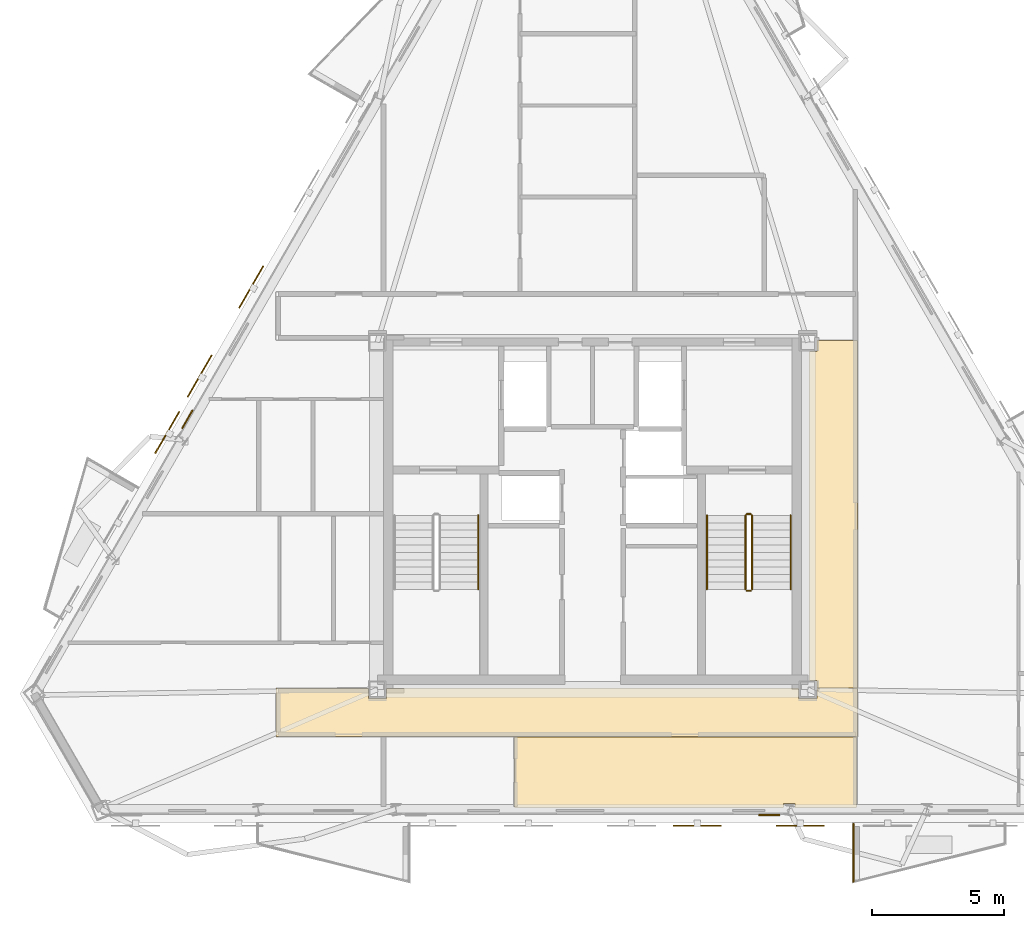
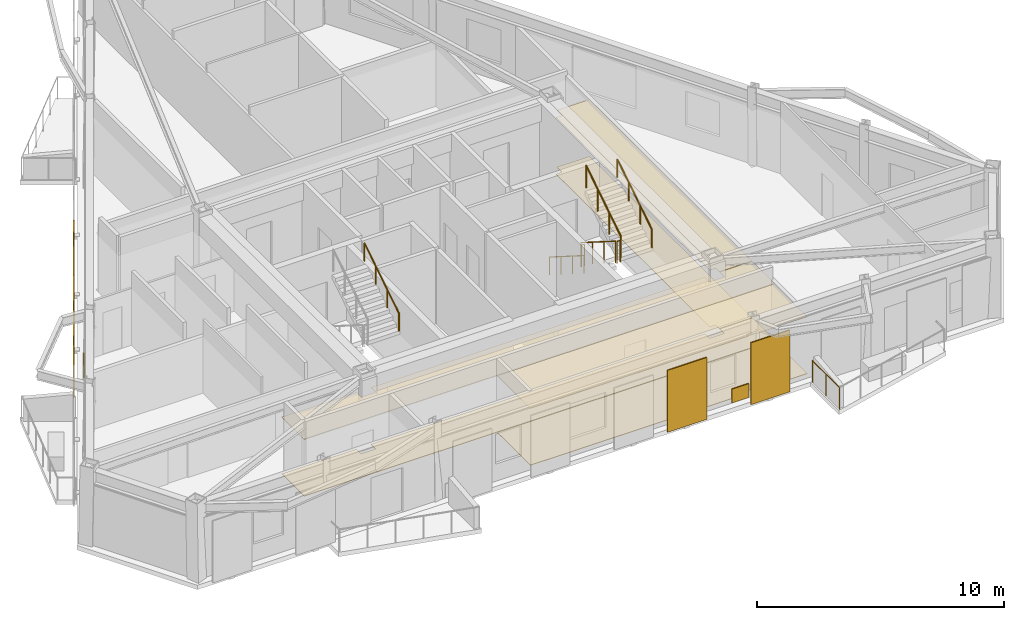
# One storey, part 8 of 9: 8 coverings, 8 railings, 5 shading devices.
"""IFC4 building model written with IfcOpenShell, lengths in metres."""

from ifc_helpers import new_model, si_unit, direction, frame, origin, origin_2d, place, context, subcontext, project, spatial, polyline, rectangle, circle, outline, extrude, material, layer, layer_set, type_object, element, save


model = new_model("IFC4")

# Units and contexts
model_context = context("Model", 3, precision=1e-05, world=origin(), true_north=direction((0.0, 1.0)))
body_context = subcontext(model_context, "Body", "Model", "MODEL_VIEW")
ifc_project = project(units=[si_unit("LENGTHUNIT", "METRE"), si_unit("AREAUNIT", "SQUARE_METRE"), si_unit("VOLUMEUNIT", "CUBIC_METRE"), si_unit("PLANEANGLEUNIT", "RADIAN"), si_unit("MASSUNIT", "GRAM", prefix="KILO")], contexts=[model_context])

# Site, building, storey
site_placement = place(None, origin())
site = spatial("IfcSite", under=ifc_project, at=site_placement, CompositionType="ELEMENT")
building_placement = place(site_placement, origin())
building = spatial("IfcBuilding", under=site, at=building_placement, Name="Oramaril Tower", CompositionType="ELEMENT")
storey_placement = place(building_placement, frame((0.0, 0.0, 261.60009765625)))
storey = spatial("IfcBuildingStorey", under=building, at=storey_placement, Name="L69", CompositionType="ELEMENT", Elevation=261.60009765625)

# Coverings
ifc_material_1 = material(Name="Mineral Fibre Acoustic Ceiling")
ifc_layer_1 = layer(ifc_material_1, 0.02001953125)
ifc_layer_set_1 = layer_set([ifc_layer_1], Name="CVT-CEIL")
covering_type_1 = type_object("IfcCoveringType", Name="CVT-CEIL", PredefinedType="CEILING", material=ifc_layer_set_1)
covering_1_placement = place(storey_placement, frame((0.0, 0.0, 2.81201171875)))
element("IfcCovering", 1, at=covering_1_placement, inside=storey, type_object=covering_type_1, Name="L69 Acoustic Suspended Ceiling 1", PredefinedType="CEILING", context=body_context, shape_type="SweptSolid", body=[
    extrude(outline(polyline([(29.0048828125, 10.655029296875), (29.695068359375, 10.655029296875), (29.695068359375, 11.030029296875), (45.304931640625, 11.030029296875), (45.304931640625, 10.655029296875), (45.9951171875, 10.655029296875), (45.9951171875, 11.030029296875), (47.530029296875, 11.030029296875), (47.530029296875, 9.219970703125), (25.52001953125, 9.219970703125), (25.52001953125, 11.030029296875), (29.0048828125, 11.030029296875), (29.0048828125, 10.655029296875)])), origin(), (0.0, 0.0, 1.0), 0.019775390625),
])
covering_2_placement = place(storey_placement, frame((0.0, 0.0, 2.81201171875)))
element("IfcCovering", 2, at=covering_2_placement, inside=storey, type_object=covering_type_1, Name="L69 Acoustic Suspended Ceiling 3", PredefinedType="CEILING", context=body_context, shape_type="SweptSolid", body=[
    extrude(outline(polyline([(47.530029296875, 11.050048828125), (45.9951171875, 11.050048828125), (45.9951171875, 11.344970703125), (45.719970703125, 11.344970703125), (45.719970703125, 23.804931640625), (45.9951171875, 23.804931640625), (45.9951171875, 24.219970703125), (47.530029296875, 24.219970703125), (47.530029296875, 11.050048828125)])), origin(), (0.0, 0.0, 1.0), 0.019775390625),
])
covering_3_placement = place(storey_placement, frame((0.0, 0.0, 2.81201171875)))
element("IfcCovering", 3, at=covering_3_placement, inside=storey, type_object=covering_type_1, Name="L69 Acoustic Suspended Ceiling 5", PredefinedType="CEILING", context=body_context, shape_type="SweptSolid", body=[
    extrude(outline(polyline([(45.156005859375, 6.681396484375), (44.7333984375, 6.681396484375), (44.7333984375, 6.5224609375), (34.54150390625, 6.5224609375), (34.54150390625, 9.199951171875), (47.491943359375, 9.199951171875), (47.491943359375, 6.5224609375), (45.156005859375, 6.5224609375), (45.156005859375, 6.681396484375)])), origin(), (0.0, 0.0, 1.0), 0.019775390625),
])
ifc_material_2 = material(Name="Warm Cream Limestone", Category="masonry")
ifc_layer_2 = layer(ifc_material_2, 0.050048828125)
ifc_layer_set_2 = layer_set([ifc_layer_2], Name="CVT-CLD")
covering_type_2 = type_object("IfcCoveringType", Name="CVT-CLD", PredefinedType="CLADDING", material=ifc_layer_set_2)
for number, where, z_axis, x_axis, name in (
    (4, (44.196044921875, 6.246337890625, 0.0400390625), (0.0, 0.0, 1.0), (1.0, 0.0, 0.0), "L69 Warm Cream Limestone Spandrel Cladding"),
    (5, (22.154541015625, 21.227783203125, 0.0400390625), (0.0, 0.0, 1.0), (-0.5, -0.866025403784, 0.0), "L69 Warm Cream Limestone Spandrel Cladding"),
):
    element("IfcCovering", number, at=place(storey_placement, frame(where, z_axis=z_axis, x_axis=x_axis)), inside=storey, type_object=covering_type_2, Name=name, PredefinedType="CLADDING", context=body_context, shape_type="SweptSolid", body=[
        extrude(rectangle(XDim=0.800048828125, YDim=0.050048828125, at=origin_2d()), origin(), (0.0, 0.0, 1.0), 0.679931640625),
    ])
ifc_material_3 = material(Name="Honed Quartzite Stone Flooring", Category="masonry")
ifc_layer_3 = layer(ifc_material_3, 0.02490234375)
ifc_layer_set_3 = layer_set([ifc_layer_3], Name="CVT-FLR")
covering_type_3 = type_object("IfcCoveringType", Name="CVT-FLR", PredefinedType="FLOORING", material=ifc_layer_set_3)
covering_4_placement = place(storey_placement, origin())
element("IfcCovering", 6, at=covering_4_placement, inside=storey, type_object=covering_type_3, Name="L69 Honed Stone Floor Finish 1", PredefinedType="FLOORING", context=body_context, shape_type="SweptSolid", body=[
    extrude(outline(polyline([(29.0048828125, 10.655029296875), (29.695068359375, 10.655029296875), (29.695068359375, 11.030029296875), (45.304931640625, 11.030029296875), (45.304931640625, 10.655029296875), (45.9951171875, 10.655029296875), (45.9951171875, 11.030029296875), (47.530029296875, 11.030029296875), (47.530029296875, 9.219970703125), (25.52001953125, 9.219970703125), (25.52001953125, 11.030029296875), (29.0048828125, 11.030029296875), (29.0048828125, 10.655029296875)])), origin(), (0.0, 0.0, 1.0), 0.02490234375),
])
covering_5_placement = place(storey_placement, origin())
element("IfcCovering", 7, at=covering_5_placement, inside=storey, type_object=covering_type_3, Name="L69 Honed Stone Floor Finish 3", PredefinedType="FLOORING", context=body_context, shape_type="SweptSolid", body=[
    extrude(outline(polyline([(47.530029296875, 11.050048828125), (45.9951171875, 11.050048828125), (45.9951171875, 11.344970703125), (45.719970703125, 11.344970703125), (45.719970703125, 23.804931640625), (45.9951171875, 23.804931640625), (45.9951171875, 24.219970703125), (47.530029296875, 24.219970703125), (47.530029296875, 11.050048828125)])), origin(), (0.0, 0.0, 1.0), 0.02490234375),
])
covering_6_placement = place(storey_placement, origin())
element("IfcCovering", 8, at=covering_6_placement, inside=storey, type_object=covering_type_3, Name="L69 Honed Stone Floor Finish 5", PredefinedType="FLOORING", context=body_context, shape_type="SweptSolid", body=[
    extrude(outline(polyline([(45.156005859375, 6.681396484375), (44.7333984375, 6.681396484375), (44.7333984375, 6.5224609375), (34.54150390625, 6.5224609375), (34.54150390625, 9.199951171875), (47.491943359375, 9.199951171875), (47.491943359375, 6.5224609375), (45.156005859375, 6.5224609375), (45.156005859375, 6.681396484375)])), origin(), (0.0, 0.0, 1.0), 0.02490234375),
])

# Railings
ifc_material_4 = material(Name="Stainless Steel 316L", Category="steel")
railing_type_1 = type_object("IfcRailingType", Name="RLT-GRD", PredefinedType="GUARDRAIL", material=ifc_material_4)
railing_1_placement = place(storey_placement, frame((47.37548828125, 3.71435546875, 0.0)))
element("IfcRailing", 9, at=railing_1_placement, inside=storey, type_object=railing_type_1, Name="L69 Balcony Guardrail L69-BAL-S2.3", PredefinedType="GUARDRAIL", context=body_context, shape_type="SweptSolid", body=[
    extrude(circle(Radius=0.02392578125, at=origin_2d()), frame((0.0, 0.0, 1.076171875), z_axis=(0.0, 1.0, 0.0), x_axis=(-1.0, 0.0, 0.0)), (0.0, 0.0, 1.0), 2.192138671875),
    extrude(circle(Radius=0.02099609375, at=origin_2d()), origin(), (0.0, 0.0, 1.0), 1.052001953125),
    extrude(circle(Radius=0.02099609375, at=origin_2d()), frame((0.0, 1.09619140625, 0.0)), (0.0, 0.0, 1.0), 1.052001953125),
    extrude(circle(Radius=0.02099609375, at=origin_2d()), frame((0.0, 2.192138671875, 0.0)), (0.0, 0.0, 1.0), 1.052001953125),
])
railing_2_placement = place(storey_placement, frame((43.2900390625, 17.590087890625, 0.17724609375)))
element("IfcRailing", 10, at=railing_2_placement, inside=storey, type_object=railing_type_1, Name="L69 ST-2 stair guard 1", PredefinedType="GUARDRAIL", context=body_context, shape_type="SweptSolid", body=[
    extrude(circle(Radius=0.02392578125, at=origin_2d()), frame((0.0, 0.0, 1.076171875), z_axis=(0.0, -0.844908973607, 0.534910110503), x_axis=(1.0, 0.0, 0.0)), (0.0, 0.0, 1.0), 3.31396484375),
    extrude(circle(Radius=0.02099609375, at=origin_2d()), origin(), (0.0, 0.0, 1.0), 1.052001953125),
    extrude(circle(Radius=0.02099609375, at=origin_2d()), frame((0.0, -0.933349609375, 0.5908203125)), (0.0, 0.0, 1.0), 1.052001953125),
    extrude(circle(Radius=0.02099609375, at=origin_2d()), frame((0.0, -1.86669921875, 1.181884765625)), (0.0, 0.0, 1.0), 1.052001953125),
    extrude(circle(Radius=0.02099609375, at=origin_2d()), frame((0.0, -2.800048828125, 1.772705078125)), (0.0, 0.0, 1.0), 1.052001953125),
])
railing_3_placement = place(storey_placement, frame((43.340087890625, 14.739990234375, 1.949951171875)))
element("IfcRailing", 11, at=railing_3_placement, inside=storey, type_object=railing_type_1, Name="L69 ST-2 stair guard 2", PredefinedType="GUARDRAIL", context=body_context, shape_type="SweptSolid", body=[
    extrude(circle(Radius=0.02392578125, at=origin_2d()), frame((0.0, 0.0, 1.076171875), z_axis=(1.0, 0.0, 0.0), x_axis=(0.0, 1.0, 0.0)), (0.0, 0.0, 1.0), 0.14990234375),
    extrude(circle(Radius=0.02099609375, at=origin_2d()), origin(), (0.0, 0.0, 1.0), 1.052001953125),
    extrude(circle(Radius=0.02099609375, at=origin_2d()), frame((0.14990234375, 0.0, 0.0)), (0.0, 0.0, 1.0), 1.052001953125),
])
railing_4_placement = place(storey_placement, frame((43.5400390625, 14.7900390625, 2.127197265625)))
element("IfcRailing", 12, at=railing_4_placement, inside=storey, type_object=railing_type_1, Name="L69 ST-2 stair guard 3", PredefinedType="GUARDRAIL", context=body_context, shape_type="SweptSolid", body=[
    extrude(circle(Radius=0.02392578125, at=origin_2d()), frame((0.0, 0.0, 1.076171875), z_axis=(0.0, 0.844908973607, 0.534910110503), x_axis=(-1.0, 0.0, 0.0)), (0.0, 0.0, 1.0), 3.31396484375),
    extrude(circle(Radius=0.02099609375, at=origin_2d()), origin(), (0.0, 0.0, 1.0), 1.052001953125),
    extrude(circle(Radius=0.02099609375, at=origin_2d()), frame((0.0, 0.933349609375, 0.5908203125)), (0.0, 0.0, 1.0), 1.052001953125),
    extrude(circle(Radius=0.02099609375, at=origin_2d()), frame((0.0, 1.86669921875, 1.181884765625)), (0.0, 0.0, 1.0), 1.052001953125),
    extrude(circle(Radius=0.02099609375, at=origin_2d()), frame((0.0, 2.800048828125, 1.772705078125)), (0.0, 0.0, 1.0), 1.052001953125),
])
railing_5_placement = place(storey_placement, frame((43.340087890625, 17.639892578125, 0.0)))
element("IfcRailing", 13, at=railing_5_placement, inside=storey, type_object=railing_type_1, Name="L69 ST-2 stair guard 4", PredefinedType="GUARDRAIL", context=body_context, shape_type="SweptSolid", body=[
    extrude(circle(Radius=0.02392578125, at=origin_2d()), frame((0.0, 0.0, 1.076171875), z_axis=(1.0, 0.0, 0.0), x_axis=(0.0, 1.0, 0.0)), (0.0, 0.0, 1.0), 0.14990234375),
    extrude(circle(Radius=0.02099609375, at=origin_2d()), origin(), (0.0, 0.0, 1.0), 1.052001953125),
    extrude(circle(Radius=0.02099609375, at=origin_2d()), frame((0.14990234375, 0.0, 0.0)), (0.0, 0.0, 1.0), 1.052001953125),
])
ifc_material_5 = material(Name="Stainless Steel 316L", Category="steel")
railing_type_2 = type_object("IfcRailingType", Name="RLT-HND", PredefinedType="HANDRAIL", material=ifc_material_5)
railing_6_placement = place(storey_placement, frame((33.169921875, 14.7900390625, 2.127197265625)))
element("IfcRailing", 14, at=railing_6_placement, inside=storey, type_object=railing_type_2, Name="L69 ST-1 stair handrail 2", PredefinedType="HANDRAIL", context=body_context, shape_type="SweptSolid", body=[
    extrude(circle(Radius=0.02392578125, at=origin_2d()), frame((0.0, 0.0, 0.8759765625), z_axis=(0.0, 0.844908973607, 0.534910110503), x_axis=(-1.0, 0.0, 0.0)), (0.0, 0.0, 1.0), 3.31396484375),
    extrude(circle(Radius=0.02099609375, at=origin_2d()), origin(), (0.0, 0.0, 1.0), 0.851806640625),
    extrude(circle(Radius=0.02099609375, at=origin_2d()), frame((0.0, 0.933349609375, 0.5908203125)), (0.0, 0.0, 1.0), 0.851806640625),
    extrude(circle(Radius=0.02099609375, at=origin_2d()), frame((0.0, 1.86669921875, 1.181884765625)), (0.0, 0.0, 1.0), 0.851806640625),
    extrude(circle(Radius=0.02099609375, at=origin_2d()), frame((0.0, 2.800048828125, 1.772705078125)), (0.0, 0.0, 1.0), 0.851806640625),
])
railing_7_placement = place(storey_placement, frame((41.830078125, 17.590087890625, 0.17724609375)))
element("IfcRailing", 15, at=railing_7_placement, inside=storey, type_object=railing_type_2, Name="L69 ST-2 stair handrail 1", PredefinedType="HANDRAIL", context=body_context, shape_type="SweptSolid", body=[
    extrude(circle(Radius=0.02392578125, at=origin_2d()), frame((0.0, 0.0, 0.8759765625), z_axis=(0.0, -0.844908973607, 0.534910110503), x_axis=(1.0, 0.0, 0.0)), (0.0, 0.0, 1.0), 3.31396484375),
    extrude(circle(Radius=0.02099609375, at=origin_2d()), origin(), (0.0, 0.0, 1.0), 0.851806640625),
    extrude(circle(Radius=0.02099609375, at=origin_2d()), frame((0.0, -0.933349609375, 0.5908203125)), (0.0, 0.0, 1.0), 0.851806640625),
    extrude(circle(Radius=0.02099609375, at=origin_2d()), frame((0.0, -1.86669921875, 1.181884765625)), (0.0, 0.0, 1.0), 0.851806640625),
    extrude(circle(Radius=0.02099609375, at=origin_2d()), frame((0.0, -2.800048828125, 1.772705078125)), (0.0, 0.0, 1.0), 0.851806640625),
])
railing_8_placement = place(storey_placement, frame((45.0, 14.7900390625, 2.127197265625)))
element("IfcRailing", 16, at=railing_8_placement, inside=storey, type_object=railing_type_2, Name="L69 ST-2 stair handrail 2", PredefinedType="HANDRAIL", context=body_context, shape_type="SweptSolid", body=[
    extrude(circle(Radius=0.02392578125, at=origin_2d()), frame((0.0, 0.0, 0.8759765625), z_axis=(0.0, 0.844908973607, 0.534910110503), x_axis=(-1.0, 0.0, 0.0)), (0.0, 0.0, 1.0), 3.31396484375),
    extrude(circle(Radius=0.02099609375, at=origin_2d()), origin(), (0.0, 0.0, 1.0), 0.851806640625),
    extrude(circle(Radius=0.02099609375, at=origin_2d()), frame((0.0, 0.933349609375, 0.5908203125)), (0.0, 0.0, 1.0), 0.851806640625),
    extrude(circle(Radius=0.02099609375, at=origin_2d()), frame((0.0, 1.86669921875, 1.181884765625)), (0.0, 0.0, 1.0), 0.851806640625),
    extrude(circle(Radius=0.02099609375, at=origin_2d()), frame((0.0, 2.800048828125, 1.772705078125)), (0.0, 0.0, 1.0), 0.851806640625),
])

# Shading devices
for number, where, z_axis, x_axis, name in (
    (17, (41.463134765625, 5.83447265625, -0.020263671875), (0.0, 0.0, 1.0), (1.0, 0.0, 0.0), "L69 Perforated Ceramic Solar Screen"),
    (18, (45.363037109375, 5.83447265625, -0.020263671875), (0.0, 0.0, 1.0), (1.0, 0.0, 0.0), "L69 Perforated Ceramic Solar Screen"),
    (19, (24.5732421875, 26.241455078125, -0.020263671875), (0.0, 0.0, 1.0), (-0.5, -0.866025403784, 0.0), "L69 Perforated Ceramic Solar Screen"),
    (20, (22.623291015625, 22.864013671875, -0.020263671875), (0.0, 0.0, 1.0), (-0.5, -0.866025403784, 0.0), "L69 Perforated Ceramic Solar Screen"),
    (21, (21.393798828125, 20.734619140625, -0.020263671875), (0.0, 0.0, 1.0), (-0.5, -0.866025403784, 0.0), "L69 Perforated Ceramic Solar Screen"),
):
    element("IfcShadingDevice", number, at=place(storey_placement, frame(where, z_axis=z_axis, x_axis=x_axis)), inside=storey, Name=name, ObjectType="SCREEN", PredefinedType="USERDEFINED", context=body_context, shape_type="SweptSolid", body=[
        extrude(rectangle(XDim=1.8330078125, YDim=0.050048828125, at=origin_2d()), origin(), (0.0, 0.0, 1.0), 3.05810546875),
    ])

save(model, "model.ifc")
